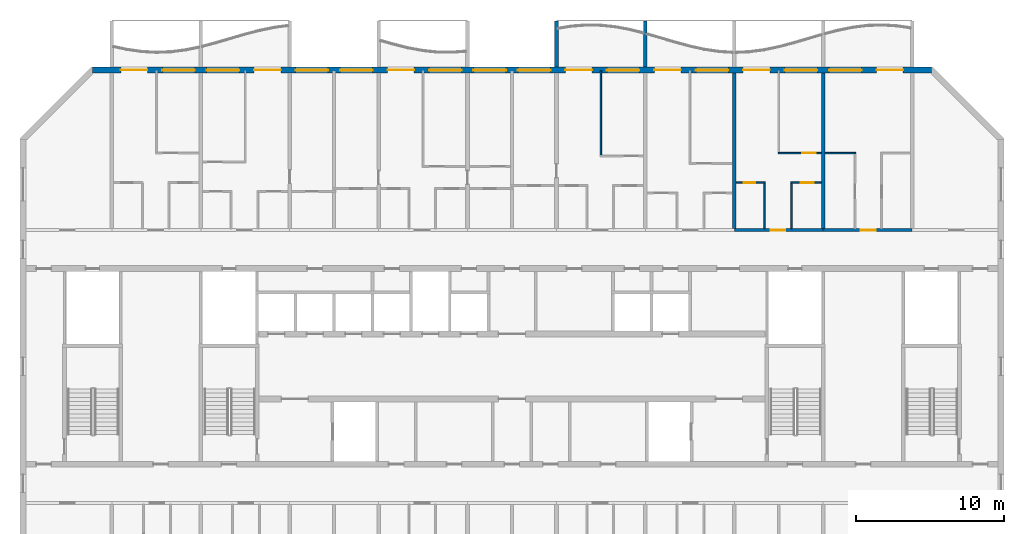
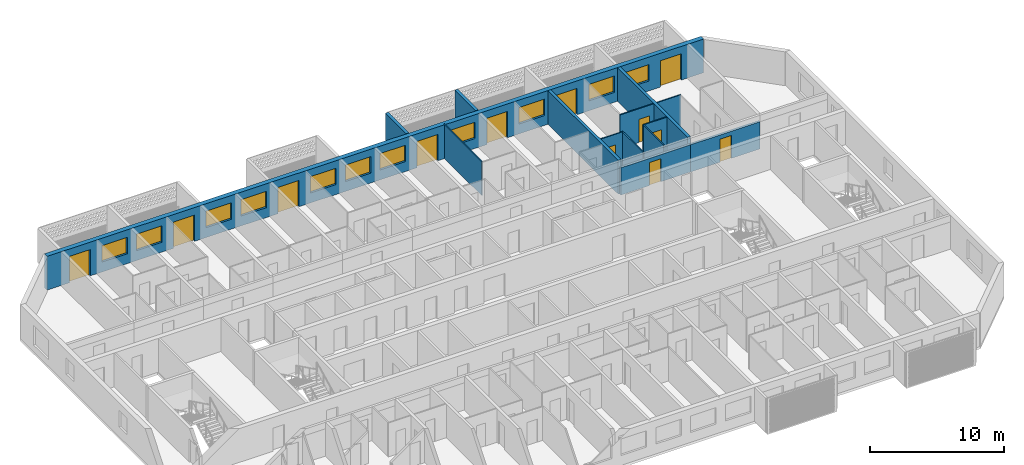
# One storey, part 10 of 28: 14 walls, 12 doors, 11 windows, 23 openings.
"""IFC4 building model written with IfcOpenShell, lengths in metres."""

from ifc_helpers import new_model, si_unit, direction, frame, frame_2d, origin, place, context, subcontext, project, spatial, polyline, rectangle, outline, extrude, source, transform, mapped, material, layer, layer_set, type_object, element, fill, save


model = new_model("IFC4")

# Units and contexts
model_context = context("Model", 3, precision=1e-05, world=origin(), true_north=direction((0.0, 1.0)))
body_context = subcontext(model_context, "Body", "Model", "MODEL_VIEW")
ifc_project = project(units=[si_unit("LENGTHUNIT", "METRE"), si_unit("AREAUNIT", "SQUARE_METRE"), si_unit("VOLUMEUNIT", "CUBIC_METRE"), si_unit("PLANEANGLEUNIT", "RADIAN"), si_unit("MASSUNIT", "GRAM", prefix="KILO")], contexts=[model_context])

# Site, building, storey
site_placement = place(None, origin())
site = spatial("IfcSite", under=ifc_project, at=site_placement, CompositionType="ELEMENT")
building_placement = place(site_placement, origin())
building = spatial("IfcBuilding", under=site, at=building_placement, Name="Poui Terraces", CompositionType="ELEMENT")
storey_placement = place(building_placement, frame((0.0, 0.0, 188.39990234375)))
storey = spatial("IfcBuildingStorey", under=building, at=storey_placement, Name="L52", CompositionType="ELEMENT", Elevation=188.39990234375)

# Wall, opening, door
ifc_material_1 = material(Name="Concrete 50 MPa", Category="concrete")
ifc_layer_1 = layer(ifc_material_1, 0.199951171875)
ifc_layer_set_1 = layer_set([ifc_layer_1], Name="Concrete 50 MPa")
wall_type_1 = type_object("IfcWallType", Name="CORRIDOR WALL 200 50MPa", PredefinedType="SHEAR", material=ifc_layer_set_1)
wall_1_placement = place(storey_placement, frame((66.0, 30.39990234375, 0.0), z_axis=(0.0, 0.0, 1.0), x_axis=(1.0, 0.0, 0.0)))
wall_1 = element("IfcWall", 1, at=wall_1_placement, inside=storey, type_object=wall_type_1, Name="CORRIDOR WALL LINE E BAY 9", PredefinedType="SHEAR", context=body_context, shape_type="SweptSolid", body=[
    extrude(rectangle(XDim=6.0, YDim=0.199951171875, at=frame_2d((3.0, 0.0))), origin(), (0.0, 0.0, 1.0), 2.47998046875),
])
opening_1_placement = place(wall_1_placement, frame((2.449951171875, 0.0, 0.0)))
opening_1 = element("IfcOpeningElement", 2, at=opening_1_placement, cuts=wall_1, Name="Opening FD30S", PredefinedType="OPENING", context=body_context, shape_type="SweptSolid", body=[
    extrude(rectangle(XDim=1.0, YDim=2.10009765625, at=frame_2d((0.5, 1.050048828125))), frame((0.0, 0.10986328125, 0.0), z_axis=(0.0, -1.0, 0.0), x_axis=(1.0, 0.0, 0.0)), (0.0, 0.0, 1.0), 0.219970703125),
])
ifc_material_2 = material(Name="Steel fire door", Category="steel")
door_type_1 = type_object("IfcDoorType", Name="FLAT ENTRANCE DOOR 1000 X 2100", OperationType="NOTDEFINED", PredefinedType="DOOR", material=ifc_material_2)
door_1_placement = place(opening_1_placement, origin())
door_1 = element("IfcDoor", 3, at=door_1_placement, inside=storey, type_object=door_type_1, Name="FLAT ENTRANCE DOOR 057", OperationType="SINGLE_SWING_LEFT", OverallHeight=2.10009765625, OverallWidth=1.0, PredefinedType="DOOR", context=body_context, shape_type="SweptSolid", body=[
    extrude(rectangle(XDim=1.0, YDim=2.10009765625, at=frame_2d((0.5, 1.050048828125))), frame((0.0, 0.02490234375, 0.0), z_axis=(0.0, -1.0, 0.0), x_axis=(1.0, 0.0, 0.0)), (0.0, 0.0, 1.0), 0.050048828125),
])
fill(opening_1, door_1)

wall_2_placement = place(storey_placement, frame((72.0, 30.39990234375, 0.0), z_axis=(0.0, 0.0, 1.0), x_axis=(1.0, 0.0, 0.0)))
wall_2 = element("IfcWall", 4, at=wall_2_placement, inside=storey, type_object=wall_type_1, Name="CORRIDOR WALL LINE E BAY 10", PredefinedType="SHEAR", context=body_context, shape_type="SweptSolid", body=[
    extrude(rectangle(XDim=6.0, YDim=0.199951171875, at=frame_2d((3.0, 0.0))), origin(), (0.0, 0.0, 1.0), 2.47998046875),
])
opening_2_placement = place(wall_2_placement, frame((2.550048828125, 0.0, 0.0)))
opening_2 = element("IfcOpeningElement", 5, at=opening_2_placement, cuts=wall_2, Name="Opening FD30S", PredefinedType="OPENING", context=body_context, shape_type="SweptSolid", body=[
    extrude(rectangle(XDim=1.0, YDim=2.10009765625, at=frame_2d((0.5, 1.050048828125))), frame((0.0, 0.10986328125, 0.0), z_axis=(0.0, -1.0, 0.0), x_axis=(1.0, 0.0, 0.0)), (0.0, 0.0, 1.0), 0.219970703125),
])
door_2_placement = place(opening_2_placement, origin())
door_2 = element("IfcDoor", 6, at=door_2_placement, inside=storey, type_object=door_type_1, Name="FLAT ENTRANCE DOOR 061", OperationType="SINGLE_SWING_RIGHT", OverallHeight=2.10009765625, OverallWidth=1.0, PredefinedType="DOOR", context=body_context, shape_type="SweptSolid", body=[
    extrude(rectangle(XDim=1.0, YDim=2.10009765625, at=frame_2d((0.5, 1.050048828125))), frame((0.0, 0.02490234375, 0.0), z_axis=(0.0, -1.0, 0.0), x_axis=(1.0, 0.0, 0.0)), (0.0, 0.0, 1.0), 0.050048828125),
])
fill(opening_2, door_2)

# Walls
ifc_layer_2 = layer(ifc_material_1, 0.25)
ifc_layer_set_2 = layer_set([ifc_layer_2], Name="Concrete 50 MPa")
wall_type_2 = type_object("IfcWallType", Name="CROSS WALL 250 50MPa", PredefinedType="SHEAR", material=ifc_layer_set_2)
for number, where, z_axis, x_axis, name in (
    (7, (66.0, 30.5, 0.0), (0.0, 0.0, 1.0), (0.0, 1.0, 0.0), "CROSS WALL LINE 12 NORTH"),
    (8, (72.0, 30.5, 0.0), (0.0, 0.0, 1.0), (0.0, 1.0, 0.0), "CROSS WALL LINE 13 NORTH"),
):
    element("IfcWall", number, at=place(storey_placement, frame(where, z_axis=z_axis, x_axis=x_axis)), inside=storey, type_object=wall_type_2, Name=name, PredefinedType="SHEAR", context=body_context, shape_type="SweptSolid", body=[
        extrude(rectangle(XDim=10.5, YDim=0.25, at=frame_2d((5.25, 0.0))), origin(), (0.0, 0.0, 1.0), 3.080078125),
    ])

# Wall, openings, doors, windows
ifc_material_3 = material(Name="Precast concrete 40 MPa", Category="concrete")
ifc_layer_3 = layer(ifc_material_3, 0.39990234375)
ifc_layer_set_3 = layer_set([ifc_layer_3], Name="Precast concrete 40 MPa")
wall_type_3 = type_object("IfcWallType", Name="EXTERNAL WALL 400", PredefinedType="STANDARD", material=ifc_layer_set_3)
wall_3_placement = place(storey_placement, frame((79.317138671875, 41.199951171875, 0.0), z_axis=(0.0, 0.0, 1.0), x_axis=(-1.0, 0.0, 0.0)))
wall_3 = element("IfcWall", 9, at=wall_3_placement, inside=storey, type_object=wall_type_3, Name="EXTERNAL WALL N", PredefinedType="STANDARD", context=body_context, shape_type="SweptSolid", body=[
    extrude(rectangle(XDim=56.63427734375, YDim=0.39990234375, at=frame_2d((28.317138671875, 0.0))), origin(), (0.0, 0.0, 1.0), 3.080078125),
])
opening_3_placement = place(wall_3_placement, frame((52.917236328125, 0.0, 0.0)))
opening_3 = element("IfcOpeningElement", 10, at=opening_3_placement, cuts=wall_3, Name="Opening BD1", PredefinedType="OPENING", context=body_context, shape_type="SweptSolid", body=[
    extrude(rectangle(XDim=1.800048828125, YDim=2.39990234375, at=frame_2d((0.89990234375, 1.199951171875))), frame((0.0, 0.2099609375, 0.0), z_axis=(0.0, -1.0, 0.0), x_axis=(1.0, 0.0, 0.0)), (0.0, 0.0, 1.0), 0.419921875),
])
opening_4_placement = place(wall_3_placement, frame((49.71728515625, 0.0, 0.89990234375)))
opening_4 = element("IfcOpeningElement", 11, at=opening_4_placement, cuts=wall_3, Name="Opening W1", PredefinedType="OPENING", context=body_context, shape_type="SweptSolid", body=[
    extrude(rectangle(XDim=2.199951171875, YDim=1.5, at=frame_2d((1.10009765625, 0.75))), frame((0.0, 0.2099609375, 0.0), z_axis=(0.0, -1.0, 0.0), x_axis=(1.0, 0.0, 0.0)), (0.0, 0.0, 1.0), 0.419921875),
])
opening_5_placement = place(wall_3_placement, frame((46.71728515625, 0.0, 0.89990234375)))
opening_5 = element("IfcOpeningElement", 12, at=opening_5_placement, cuts=wall_3, Name="Opening W1", PredefinedType="OPENING", context=body_context, shape_type="SweptSolid", body=[
    extrude(rectangle(XDim=2.199951171875, YDim=1.5, at=frame_2d((1.10009765625, 0.75))), frame((0.0, 0.2099609375, 0.0), z_axis=(0.0, -1.0, 0.0), x_axis=(1.0, 0.0, 0.0)), (0.0, 0.0, 1.0), 0.419921875),
])
opening_6_placement = place(wall_3_placement, frame((43.917236328125, 0.0, 0.0)))
opening_6 = element("IfcOpeningElement", 13, at=opening_6_placement, cuts=wall_3, Name="Opening BD1", PredefinedType="OPENING", context=body_context, shape_type="SweptSolid", body=[
    extrude(rectangle(XDim=1.800048828125, YDim=2.39990234375, at=frame_2d((0.89990234375, 1.199951171875))), frame((0.0, 0.2099609375, 0.0), z_axis=(0.0, -1.0, 0.0), x_axis=(1.0, 0.0, 0.0)), (0.0, 0.0, 1.0), 0.419921875),
])
opening_7_placement = place(wall_3_placement, frame((40.71728515625, 0.0, 0.89990234375)))
opening_7 = element("IfcOpeningElement", 14, at=opening_7_placement, cuts=wall_3, Name="Opening W1", PredefinedType="OPENING", context=body_context, shape_type="SweptSolid", body=[
    extrude(rectangle(XDim=2.199951171875, YDim=1.5, at=frame_2d((1.10009765625, 0.75))), frame((0.0, 0.2099609375, 0.0), z_axis=(0.0, -1.0, 0.0), x_axis=(1.0, 0.0, 0.0)), (0.0, 0.0, 1.0), 0.419921875),
])
opening_8_placement = place(wall_3_placement, frame((37.71728515625, 0.0, 0.89990234375)))
opening_8 = element("IfcOpeningElement", 15, at=opening_8_placement, cuts=wall_3, Name="Opening W1", PredefinedType="OPENING", context=body_context, shape_type="SweptSolid", body=[
    extrude(rectangle(XDim=2.199951171875, YDim=1.5, at=frame_2d((1.10009765625, 0.75))), frame((0.0, 0.2099609375, 0.0), z_axis=(0.0, -1.0, 0.0), x_axis=(1.0, 0.0, 0.0)), (0.0, 0.0, 1.0), 0.419921875),
])
opening_9_placement = place(wall_3_placement, frame((34.917236328125, 0.0, 0.0)))
opening_9 = element("IfcOpeningElement", 16, at=opening_9_placement, cuts=wall_3, Name="Opening BD1", PredefinedType="OPENING", context=body_context, shape_type="SweptSolid", body=[
    extrude(rectangle(XDim=1.800048828125, YDim=2.39990234375, at=frame_2d((0.89990234375, 1.199951171875))), frame((0.0, 0.2099609375, 0.0), z_axis=(0.0, -1.0, 0.0), x_axis=(1.0, 0.0, 0.0)), (0.0, 0.0, 1.0), 0.419921875),
])
opening_10_placement = place(wall_3_placement, frame((31.71728515625, 0.0, 0.89990234375)))
opening_10 = element("IfcOpeningElement", 17, at=opening_10_placement, cuts=wall_3, Name="Opening W1", PredefinedType="OPENING", context=body_context, shape_type="SweptSolid", body=[
    extrude(rectangle(XDim=2.199951171875, YDim=1.5, at=frame_2d((1.10009765625, 0.75))), frame((0.0, 0.2099609375, 0.0), z_axis=(0.0, -1.0, 0.0), x_axis=(1.0, 0.0, 0.0)), (0.0, 0.0, 1.0), 0.419921875),
])
opening_11_placement = place(wall_3_placement, frame((28.71728515625, 0.0, 0.89990234375)))
opening_11 = element("IfcOpeningElement", 18, at=opening_11_placement, cuts=wall_3, Name="Opening W1", PredefinedType="OPENING", context=body_context, shape_type="SweptSolid", body=[
    extrude(rectangle(XDim=2.199951171875, YDim=1.5, at=frame_2d((1.10009765625, 0.75))), frame((0.0, 0.2099609375, 0.0), z_axis=(0.0, -1.0, 0.0), x_axis=(1.0, 0.0, 0.0)), (0.0, 0.0, 1.0), 0.419921875),
])
opening_12_placement = place(wall_3_placement, frame((25.71728515625, 0.0, 0.89990234375)))
opening_12 = element("IfcOpeningElement", 19, at=opening_12_placement, cuts=wall_3, Name="Opening W1", PredefinedType="OPENING", context=body_context, shape_type="SweptSolid", body=[
    extrude(rectangle(XDim=2.199951171875, YDim=1.5, at=frame_2d((1.10009765625, 0.75))), frame((0.0, 0.2099609375, 0.0), z_axis=(0.0, -1.0, 0.0), x_axis=(1.0, 0.0, 0.0)), (0.0, 0.0, 1.0), 0.419921875),
])
opening_13_placement = place(wall_3_placement, frame((22.917236328125, 0.0, 0.0)))
opening_13 = element("IfcOpeningElement", 20, at=opening_13_placement, cuts=wall_3, Name="Opening BD1", PredefinedType="OPENING", context=body_context, shape_type="SweptSolid", body=[
    extrude(rectangle(XDim=1.800048828125, YDim=2.39990234375, at=frame_2d((0.89990234375, 1.199951171875))), frame((0.0, 0.2099609375, 0.0), z_axis=(0.0, -1.0, 0.0), x_axis=(1.0, 0.0, 0.0)), (0.0, 0.0, 1.0), 0.419921875),
])
opening_14_placement = place(wall_3_placement, frame((19.71728515625, 0.0, 0.89990234375)))
opening_14 = element("IfcOpeningElement", 21, at=opening_14_placement, cuts=wall_3, Name="Opening W1", PredefinedType="OPENING", context=body_context, shape_type="SweptSolid", body=[
    extrude(rectangle(XDim=2.199951171875, YDim=1.5, at=frame_2d((1.10009765625, 0.75))), frame((0.0, 0.2099609375, 0.0), z_axis=(0.0, -1.0, 0.0), x_axis=(1.0, 0.0, 0.0)), (0.0, 0.0, 1.0), 0.419921875),
])
opening_15_placement = place(wall_3_placement, frame((16.917236328125, 0.0, 0.0)))
opening_15 = element("IfcOpeningElement", 22, at=opening_15_placement, cuts=wall_3, Name="Opening BD1", PredefinedType="OPENING", context=body_context, shape_type="SweptSolid", body=[
    extrude(rectangle(XDim=1.800048828125, YDim=2.39990234375, at=frame_2d((0.89990234375, 1.199951171875))), frame((0.0, 0.2099609375, 0.0), z_axis=(0.0, -1.0, 0.0), x_axis=(1.0, 0.0, 0.0)), (0.0, 0.0, 1.0), 0.419921875),
])
opening_16_placement = place(wall_3_placement, frame((13.71728515625, 0.0, 0.89990234375)))
opening_16 = element("IfcOpeningElement", 23, at=opening_16_placement, cuts=wall_3, Name="Opening W1", PredefinedType="OPENING", context=body_context, shape_type="SweptSolid", body=[
    extrude(rectangle(XDim=2.199951171875, YDim=1.5, at=frame_2d((1.10009765625, 0.75))), frame((0.0, 0.2099609375, 0.0), z_axis=(0.0, -1.0, 0.0), x_axis=(1.0, 0.0, 0.0)), (0.0, 0.0, 1.0), 0.419921875),
])
opening_17_placement = place(wall_3_placement, frame((10.917236328125, 0.0, 0.0)))
opening_17 = element("IfcOpeningElement", 24, at=opening_17_placement, cuts=wall_3, Name="Opening BD1", PredefinedType="OPENING", context=body_context, shape_type="SweptSolid", body=[
    extrude(rectangle(XDim=1.800048828125, YDim=2.39990234375, at=frame_2d((0.89990234375, 1.199951171875))), frame((0.0, 0.2099609375, 0.0), z_axis=(0.0, -1.0, 0.0), x_axis=(1.0, 0.0, 0.0)), (0.0, 0.0, 1.0), 0.419921875),
])
opening_18_placement = place(wall_3_placement, frame((7.71728515625, 0.0, 0.89990234375)))
opening_18 = element("IfcOpeningElement", 25, at=opening_18_placement, cuts=wall_3, Name="Opening W1", PredefinedType="OPENING", context=body_context, shape_type="SweptSolid", body=[
    extrude(rectangle(XDim=2.199951171875, YDim=1.5, at=frame_2d((1.10009765625, 0.75))), frame((0.0, 0.2099609375, 0.0), z_axis=(0.0, -1.0, 0.0), x_axis=(1.0, 0.0, 0.0)), (0.0, 0.0, 1.0), 0.419921875),
])
opening_19_placement = place(wall_3_placement, frame((4.71728515625, 0.0, 0.89990234375)))
opening_19 = element("IfcOpeningElement", 26, at=opening_19_placement, cuts=wall_3, Name="Opening W1", PredefinedType="OPENING", context=body_context, shape_type="SweptSolid", body=[
    extrude(rectangle(XDim=2.199951171875, YDim=1.5, at=frame_2d((1.10009765625, 0.75))), frame((0.0, 0.2099609375, 0.0), z_axis=(0.0, -1.0, 0.0), x_axis=(1.0, 0.0, 0.0)), (0.0, 0.0, 1.0), 0.419921875),
])
opening_20_placement = place(wall_3_placement, frame((1.917236328125, 0.0, 0.0)))
opening_20 = element("IfcOpeningElement", 27, at=opening_20_placement, cuts=wall_3, Name="Opening BD1", PredefinedType="OPENING", context=body_context, shape_type="SweptSolid", body=[
    extrude(rectangle(XDim=1.800048828125, YDim=2.39990234375, at=frame_2d((0.89990234375, 1.199951171875))), frame((0.0, 0.2099609375, 0.0), z_axis=(0.0, -1.0, 0.0), x_axis=(1.0, 0.0, 0.0)), (0.0, 0.0, 1.0), 0.419921875),
])
ifc_material_4 = material(Name="Clear glass in aluminium frame", Category="aluminium")
door_type_2 = type_object("IfcDoorType", Name="BALCONY DOOR 1800X2400", OperationType="DOUBLE_DOOR_SLIDING", PredefinedType="DOOR", material=ifc_material_4)
door_3_placement = place(opening_3_placement, origin())
door_3 = element("IfcDoor", 28, at=door_3_placement, inside=storey, type_object=door_type_2, Name="BD1 BALCONY DOOR", OperationType="DOUBLE_DOOR_SLIDING", OverallHeight=2.39990234375, OverallWidth=1.800048828125, PredefinedType="DOOR", context=body_context, shape_type="SweptSolid", body=[
    extrude(rectangle(XDim=1.800048828125, YDim=2.39990234375, at=frame_2d((0.89990234375, 1.199951171875))), frame((0.0, 0.02490234375, 0.0), z_axis=(0.0, -1.0, 0.0), x_axis=(1.0, 0.0, 0.0)), (0.0, 0.0, 1.0), 0.050048828125),
])
fill(opening_3, door_3)
door_4_placement = place(opening_6_placement, origin())
door_4 = element("IfcDoor", 29, at=door_4_placement, inside=storey, type_object=door_type_2, Name="BD1 BALCONY DOOR", OperationType="DOUBLE_DOOR_SLIDING", OverallHeight=2.39990234375, OverallWidth=1.800048828125, PredefinedType="DOOR", context=body_context, shape_type="SweptSolid", body=[
    extrude(rectangle(XDim=1.800048828125, YDim=2.39990234375, at=frame_2d((0.89990234375, 1.199951171875))), frame((0.0, 0.02490234375, 0.0), z_axis=(0.0, -1.0, 0.0), x_axis=(1.0, 0.0, 0.0)), (0.0, 0.0, 1.0), 0.050048828125),
])
fill(opening_6, door_4)
door_5_placement = place(opening_9_placement, origin())
door_5 = element("IfcDoor", 30, at=door_5_placement, inside=storey, type_object=door_type_2, Name="BD1 BALCONY DOOR", OperationType="DOUBLE_DOOR_SLIDING", OverallHeight=2.39990234375, OverallWidth=1.800048828125, PredefinedType="DOOR", context=body_context, shape_type="SweptSolid", body=[
    extrude(rectangle(XDim=1.800048828125, YDim=2.39990234375, at=frame_2d((0.89990234375, 1.199951171875))), frame((0.0, 0.02490234375, 0.0), z_axis=(0.0, -1.0, 0.0), x_axis=(1.0, 0.0, 0.0)), (0.0, 0.0, 1.0), 0.050048828125),
])
fill(opening_9, door_5)
door_6_placement = place(opening_13_placement, origin())
door_6 = element("IfcDoor", 31, at=door_6_placement, inside=storey, type_object=door_type_2, Name="BD1 BALCONY DOOR", OperationType="DOUBLE_DOOR_SLIDING", OverallHeight=2.39990234375, OverallWidth=1.800048828125, PredefinedType="DOOR", context=body_context, shape_type="SweptSolid", body=[
    extrude(rectangle(XDim=1.800048828125, YDim=2.39990234375, at=frame_2d((0.89990234375, 1.199951171875))), frame((0.0, 0.02490234375, 0.0), z_axis=(0.0, -1.0, 0.0), x_axis=(1.0, 0.0, 0.0)), (0.0, 0.0, 1.0), 0.050048828125),
])
fill(opening_13, door_6)
door_7_placement = place(opening_15_placement, origin())
door_7 = element("IfcDoor", 32, at=door_7_placement, inside=storey, type_object=door_type_2, Name="BD1 BALCONY DOOR", OperationType="DOUBLE_DOOR_SLIDING", OverallHeight=2.39990234375, OverallWidth=1.800048828125, PredefinedType="DOOR", context=body_context, shape_type="SweptSolid", body=[
    extrude(rectangle(XDim=1.800048828125, YDim=2.39990234375, at=frame_2d((0.89990234375, 1.199951171875))), frame((0.0, 0.02490234375, 0.0), z_axis=(0.0, -1.0, 0.0), x_axis=(1.0, 0.0, 0.0)), (0.0, 0.0, 1.0), 0.050048828125),
])
fill(opening_15, door_7)
door_8_placement = place(opening_17_placement, origin())
door_8 = element("IfcDoor", 33, at=door_8_placement, inside=storey, type_object=door_type_2, Name="BD1 BALCONY DOOR", OperationType="DOUBLE_DOOR_SLIDING", OverallHeight=2.39990234375, OverallWidth=1.800048828125, PredefinedType="DOOR", context=body_context, shape_type="SweptSolid", body=[
    extrude(rectangle(XDim=1.800048828125, YDim=2.39990234375, at=frame_2d((0.89990234375, 1.199951171875))), frame((0.0, 0.02490234375, 0.0), z_axis=(0.0, -1.0, 0.0), x_axis=(1.0, 0.0, 0.0)), (0.0, 0.0, 1.0), 0.050048828125),
])
fill(opening_17, door_8)
door_9_placement = place(opening_20_placement, origin())
door_9 = element("IfcDoor", 34, at=door_9_placement, inside=storey, type_object=door_type_2, Name="BD1 BALCONY DOOR", OperationType="DOUBLE_DOOR_SLIDING", OverallHeight=2.39990234375, OverallWidth=1.800048828125, PredefinedType="DOOR", context=body_context, shape_type="SweptSolid", body=[
    extrude(rectangle(XDim=1.800048828125, YDim=2.39990234375, at=frame_2d((0.89990234375, 1.199951171875))), frame((0.0, 0.02490234375, 0.0), z_axis=(0.0, -1.0, 0.0), x_axis=(1.0, 0.0, 0.0)), (0.0, 0.0, 1.0), 0.050048828125),
])
fill(opening_20, door_9)
window_type = type_object("IfcWindowType", Name="WINDOW 2200X1500", PartitioningType="DOUBLE_PANEL_HORIZONTAL", PredefinedType="WINDOW", material=ifc_material_4)
window_1_placement = place(opening_4_placement, origin())
window_1 = element("IfcWindow", 35, at=window_1_placement, inside=storey, type_object=window_type, Name="W1 WINDOW", OverallHeight=1.5, OverallWidth=2.199951171875, PartitioningType="DOUBLE_PANEL_HORIZONTAL", PredefinedType="WINDOW", context=body_context, shape_type="SweptSolid", body=[
    extrude(rectangle(XDim=2.199951171875, YDim=1.5, at=frame_2d((1.10009765625, 0.75))), frame((0.0, 0.030029296875, 0.0), z_axis=(0.0, -1.0, 0.0), x_axis=(1.0, 0.0, 0.0)), (0.0, 0.0, 1.0), 0.06005859375),
])
fill(opening_4, window_1)
window_2_placement = place(opening_5_placement, origin())
window_2 = element("IfcWindow", 36, at=window_2_placement, inside=storey, type_object=window_type, Name="W1 WINDOW", OverallHeight=1.5, OverallWidth=2.199951171875, PartitioningType="DOUBLE_PANEL_HORIZONTAL", PredefinedType="WINDOW", context=body_context, shape_type="SweptSolid", body=[
    extrude(rectangle(XDim=2.199951171875, YDim=1.5, at=frame_2d((1.10009765625, 0.75))), frame((0.0, 0.030029296875, 0.0), z_axis=(0.0, -1.0, 0.0), x_axis=(1.0, 0.0, 0.0)), (0.0, 0.0, 1.0), 0.06005859375),
])
fill(opening_5, window_2)
window_3_placement = place(opening_7_placement, origin())
window_3 = element("IfcWindow", 37, at=window_3_placement, inside=storey, type_object=window_type, Name="W1 WINDOW", OverallHeight=1.5, OverallWidth=2.199951171875, PartitioningType="DOUBLE_PANEL_HORIZONTAL", PredefinedType="WINDOW", context=body_context, shape_type="SweptSolid", body=[
    extrude(rectangle(XDim=2.199951171875, YDim=1.5, at=frame_2d((1.10009765625, 0.75))), frame((0.0, 0.030029296875, 0.0), z_axis=(0.0, -1.0, 0.0), x_axis=(1.0, 0.0, 0.0)), (0.0, 0.0, 1.0), 0.06005859375),
])
fill(opening_7, window_3)
window_4_placement = place(opening_8_placement, origin())
window_4 = element("IfcWindow", 38, at=window_4_placement, inside=storey, type_object=window_type, Name="W1 WINDOW", OverallHeight=1.5, OverallWidth=2.199951171875, PartitioningType="DOUBLE_PANEL_HORIZONTAL", PredefinedType="WINDOW", context=body_context, shape_type="SweptSolid", body=[
    extrude(rectangle(XDim=2.199951171875, YDim=1.5, at=frame_2d((1.10009765625, 0.75))), frame((0.0, 0.030029296875, 0.0), z_axis=(0.0, -1.0, 0.0), x_axis=(1.0, 0.0, 0.0)), (0.0, 0.0, 1.0), 0.06005859375),
])
fill(opening_8, window_4)
window_5_placement = place(opening_10_placement, origin())
window_5 = element("IfcWindow", 39, at=window_5_placement, inside=storey, type_object=window_type, Name="W1 WINDOW", OverallHeight=1.5, OverallWidth=2.199951171875, PartitioningType="DOUBLE_PANEL_HORIZONTAL", PredefinedType="WINDOW", context=body_context, shape_type="SweptSolid", body=[
    extrude(rectangle(XDim=2.199951171875, YDim=1.5, at=frame_2d((1.10009765625, 0.75))), frame((0.0, 0.030029296875, 0.0), z_axis=(0.0, -1.0, 0.0), x_axis=(1.0, 0.0, 0.0)), (0.0, 0.0, 1.0), 0.06005859375),
])
fill(opening_10, window_5)
window_6_placement = place(opening_11_placement, origin())
window_6 = element("IfcWindow", 40, at=window_6_placement, inside=storey, type_object=window_type, Name="W1 WINDOW", OverallHeight=1.5, OverallWidth=2.199951171875, PartitioningType="DOUBLE_PANEL_HORIZONTAL", PredefinedType="WINDOW", context=body_context, shape_type="SweptSolid", body=[
    extrude(rectangle(XDim=2.199951171875, YDim=1.5, at=frame_2d((1.10009765625, 0.75))), frame((0.0, 0.030029296875, 0.0), z_axis=(0.0, -1.0, 0.0), x_axis=(1.0, 0.0, 0.0)), (0.0, 0.0, 1.0), 0.06005859375),
])
fill(opening_11, window_6)
window_7_placement = place(opening_12_placement, origin())
window_7 = element("IfcWindow", 41, at=window_7_placement, inside=storey, type_object=window_type, Name="W1 WINDOW", OverallHeight=1.5, OverallWidth=2.199951171875, PartitioningType="DOUBLE_PANEL_HORIZONTAL", PredefinedType="WINDOW", context=body_context, shape_type="SweptSolid", body=[
    extrude(rectangle(XDim=2.199951171875, YDim=1.5, at=frame_2d((1.10009765625, 0.75))), frame((0.0, 0.030029296875, 0.0), z_axis=(0.0, -1.0, 0.0), x_axis=(1.0, 0.0, 0.0)), (0.0, 0.0, 1.0), 0.06005859375),
])
fill(opening_12, window_7)
window_8_placement = place(opening_14_placement, origin())
window_8 = element("IfcWindow", 42, at=window_8_placement, inside=storey, type_object=window_type, Name="W1 WINDOW", OverallHeight=1.5, OverallWidth=2.199951171875, PartitioningType="DOUBLE_PANEL_HORIZONTAL", PredefinedType="WINDOW", context=body_context, shape_type="SweptSolid", body=[
    extrude(rectangle(XDim=2.199951171875, YDim=1.5, at=frame_2d((1.10009765625, 0.75))), frame((0.0, 0.030029296875, 0.0), z_axis=(0.0, -1.0, 0.0), x_axis=(1.0, 0.0, 0.0)), (0.0, 0.0, 1.0), 0.06005859375),
])
fill(opening_14, window_8)
window_9_placement = place(opening_16_placement, origin())
window_9 = element("IfcWindow", 43, at=window_9_placement, inside=storey, type_object=window_type, Name="W1 WINDOW", OverallHeight=1.5, OverallWidth=2.199951171875, PartitioningType="DOUBLE_PANEL_HORIZONTAL", PredefinedType="WINDOW", context=body_context, shape_type="SweptSolid", body=[
    extrude(rectangle(XDim=2.199951171875, YDim=1.5, at=frame_2d((1.10009765625, 0.75))), frame((0.0, 0.030029296875, 0.0), z_axis=(0.0, -1.0, 0.0), x_axis=(1.0, 0.0, 0.0)), (0.0, 0.0, 1.0), 0.06005859375),
])
fill(opening_16, window_9)
window_10_placement = place(opening_18_placement, origin())
window_10 = element("IfcWindow", 44, at=window_10_placement, inside=storey, type_object=window_type, Name="W1 WINDOW", OverallHeight=1.5, OverallWidth=2.199951171875, PartitioningType="DOUBLE_PANEL_HORIZONTAL", PredefinedType="WINDOW", context=body_context, shape_type="SweptSolid", body=[
    extrude(rectangle(XDim=2.199951171875, YDim=1.5, at=frame_2d((1.10009765625, 0.75))), frame((0.0, 0.030029296875, 0.0), z_axis=(0.0, -1.0, 0.0), x_axis=(1.0, 0.0, 0.0)), (0.0, 0.0, 1.0), 0.06005859375),
])
fill(opening_18, window_10)
window_11_placement = place(opening_19_placement, origin())
window_11 = element("IfcWindow", 45, at=window_11_placement, inside=storey, type_object=window_type, Name="W1 WINDOW", OverallHeight=1.5, OverallWidth=2.199951171875, PartitioningType="DOUBLE_PANEL_HORIZONTAL", PredefinedType="WINDOW", context=body_context, shape_type="SweptSolid", body=[
    extrude(rectangle(XDim=2.199951171875, YDim=1.5, at=frame_2d((1.10009765625, 0.75))), frame((0.0, 0.030029296875, 0.0), z_axis=(0.0, -1.0, 0.0), x_axis=(1.0, 0.0, 0.0)), (0.0, 0.0, 1.0), 0.06005859375),
])
fill(opening_19, window_11)

# Wall, opening, door
ifc_material_5 = material(Name="Plasterboard partition")
ifc_layer_4 = layer(ifc_material_5, 0.10009765625)
ifc_layer_set_4 = layer_set([ifc_layer_4], Name="Plasterboard partition")
wall_type_4 = type_object("IfcWallType", Name="FLAT PARTITION 100", PredefinedType="PARTITIONING", material=ifc_layer_set_4)
wall_4_placement = place(storey_placement, frame((66.135009765625, 33.60009765625, 0.0), z_axis=(0.0, 0.0, 1.0), x_axis=(1.0, 0.0, 0.0)))
wall_4 = element("IfcWall", 46, at=wall_4_placement, inside=storey, type_object=wall_type_4, Name="FLAT PARTITION 100", PredefinedType="PARTITIONING", context=body_context, shape_type="SweptSolid", body=[
    extrude(rectangle(XDim=1.965087890625, YDim=0.10009765625, at=frame_2d((0.982421875, 0.0))), origin(), (0.0, 0.0, 1.0), 3.080078125),
])
opening_21_placement = place(wall_4_placement, frame((0.489990234375, 0.0, 0.0)))
opening_21 = element("IfcOpeningElement", 47, at=opening_21_placement, cuts=wall_4, Name="Opening D80", PredefinedType="OPENING", context=body_context, shape_type="SweptSolid", body=[
    extrude(rectangle(XDim=0.800048828125, YDim=2.10009765625, at=frame_2d((0.39990234375, 1.050048828125))), frame((0.0, 0.06005859375, 0.0), z_axis=(0.0, -1.0, 0.0), x_axis=(1.0, 0.0, 0.0)), (0.0, 0.0, 1.0), 0.1201171875),
])
ifc_material_6 = material(Name="Solid core timber door", Category="wood")
door_type_3 = type_object("IfcDoorType", Name="BATHROOM, LAUNDRY AND STORE DOOR 800 X 2100", OperationType="NOTDEFINED", PredefinedType="DOOR", material=ifc_material_6)
door_10_placement = place(opening_21_placement, frame((0.800048828125, 0.0, 0.0), z_axis=(0.0, 0.0, 1.0), x_axis=(-1.0, 0.0, 0.0)))
door_10 = element("IfcDoor", 48, at=door_10_placement, inside=storey, type_object=door_type_3, Name="BATHROOM, LAUNDRY AND STORE DOOR 056", OperationType="SINGLE_SWING_RIGHT", OverallHeight=2.10009765625, OverallWidth=0.800048828125, PredefinedType="DOOR", context=body_context, shape_type="SweptSolid", body=[
    extrude(rectangle(XDim=0.800048828125, YDim=2.10009765625, at=frame_2d((0.39990234375, 1.050048828125))), frame((0.0, 0.02490234375, 0.0), z_axis=(0.0, -1.0, 0.0), x_axis=(1.0, 0.0, 0.0)), (0.0, 0.0, 1.0), 0.050048828125),
])
fill(opening_21, door_10)

wall_5_placement = place(storey_placement, frame((69.800048828125, 33.60009765625, 0.0), z_axis=(0.0, 0.0, 1.0), x_axis=(1.0, 0.0, 0.0)))
wall_5 = element("IfcWall", 49, at=wall_5_placement, inside=storey, type_object=wall_type_4, Name="FLAT PARTITION 100", PredefinedType="PARTITIONING", context=body_context, shape_type="SweptSolid", body=[
    extrude(rectangle(XDim=2.06494140625, YDim=0.10009765625, at=frame_2d((1.032470703125, 0.0))), origin(), (0.0, 0.0, 1.0), 3.080078125),
])
opening_22_placement = place(wall_5_placement, frame((0.675048828125, 0.0, 0.0)))
opening_22 = element("IfcOpeningElement", 50, at=opening_22_placement, cuts=wall_5, Name="Opening D90", PredefinedType="OPENING", context=body_context, shape_type="SweptSolid", body=[
    extrude(rectangle(XDim=0.89990234375, YDim=2.10009765625, at=frame_2d((0.449951171875, 1.050048828125))), frame((0.0, 0.06005859375, 0.0), z_axis=(0.0, -1.0, 0.0), x_axis=(1.0, 0.0, 0.0)), (0.0, 0.0, 1.0), 0.1201171875),
])
door_type_4 = type_object("IfcDoorType", Name="INTERNAL DOOR 900 X 2100", OperationType="NOTDEFINED", PredefinedType="DOOR", material=ifc_material_6)
door_11_placement = place(opening_22_placement, frame((0.89990234375, 0.0, 0.0), z_axis=(0.0, 0.0, 1.0), x_axis=(-1.0, 0.0, 0.0)))
door_11 = element("IfcDoor", 51, at=door_11_placement, inside=storey, type_object=door_type_4, Name="INTERNAL DOOR 058", OperationType="SINGLE_SWING_LEFT", OverallHeight=2.10009765625, OverallWidth=0.89990234375, PredefinedType="DOOR", context=body_context, shape_type="SweptSolid", body=[
    extrude(rectangle(XDim=0.89990234375, YDim=2.10009765625, at=frame_2d((0.449951171875, 1.050048828125))), frame((0.0, 0.02490234375, 0.0), z_axis=(0.0, -1.0, 0.0), x_axis=(1.0, 0.0, 0.0)), (0.0, 0.0, 1.0), 0.050048828125),
])
fill(opening_22, door_11)

wall_6_placement = place(storey_placement, frame((68.949951171875, 35.60009765625, 0.0), z_axis=(0.0, 0.0, 1.0), x_axis=(1.0, 0.0, 0.0)))
wall_6 = element("IfcWall", 52, at=wall_6_placement, inside=storey, type_object=wall_type_4, Name="FLAT PARTITION 100", PredefinedType="PARTITIONING", context=body_context, shape_type="SweptSolid", body=[
    extrude(rectangle(XDim=2.9150390625, YDim=0.10009765625, at=frame_2d((1.45751953125, 0.0))), origin(), (0.0, 0.0, 1.0), 3.080078125),
])
opening_23_placement = place(wall_6_placement, frame((1.64990234375, 0.0, 0.0)))
opening_23 = element("IfcOpeningElement", 53, at=opening_23_placement, cuts=wall_6, Name="Opening D90", PredefinedType="OPENING", context=body_context, shape_type="SweptSolid", body=[
    extrude(rectangle(XDim=0.89990234375, YDim=2.10009765625, at=frame_2d((0.449951171875, 1.050048828125))), frame((0.0, 0.06005859375, 0.0), z_axis=(0.0, -1.0, 0.0), x_axis=(1.0, 0.0, 0.0)), (0.0, 0.0, 1.0), 0.1201171875),
])
door_12_placement = place(opening_23_placement, frame((0.89990234375, 0.0, 0.0), z_axis=(0.0, 0.0, 1.0), x_axis=(-1.0, 0.0, 0.0)))
door_12 = element("IfcDoor", 54, at=door_12_placement, inside=storey, type_object=door_type_4, Name="INTERNAL DOOR 059", OperationType="SINGLE_SWING_RIGHT", OverallHeight=2.10009765625, OverallWidth=0.89990234375, PredefinedType="DOOR", context=body_context, shape_type="SweptSolid", body=[
    extrude(rectangle(XDim=0.89990234375, YDim=2.10009765625, at=frame_2d((0.449951171875, 1.050048828125))), frame((0.0, 0.02490234375, 0.0), z_axis=(0.0, -1.0, 0.0), x_axis=(1.0, 0.0, 0.0)), (0.0, 0.0, 1.0), 0.050048828125),
])
fill(opening_23, door_12)

# Walls
wall_7_placement = place(storey_placement, frame((72.135009765625, 35.60009765625, 0.0), z_axis=(0.0, 0.0, 1.0), x_axis=(1.0, 0.0, 0.0)))
element("IfcWall", 55, at=wall_7_placement, inside=storey, type_object=wall_type_4, Name="FLAT PARTITION 100", PredefinedType="PARTITIONING", context=body_context, shape_type="SweptSolid", body=[
    extrude(rectangle(XDim=2.06494140625, YDim=0.10009765625, at=frame_2d((1.032470703125, 0.0))), origin(), (0.0, 0.0, 1.0), 3.080078125),
])
wall_8_placement = place(storey_placement, frame((57.0, 35.449951171875, 0.0), z_axis=(0.0, 0.0, 1.0), x_axis=(0.0, 1.0, 0.0)))
element("IfcWall", 56, at=wall_8_placement, inside=storey, type_object=wall_type_4, Name="FLAT PARTITION 100", PredefinedType="PARTITIONING", context=body_context, shape_type="SweptSolid", body=[
    extrude(rectangle(XDim=5.68994140625, YDim=0.10009765625, at=frame_2d((2.844970703125, 0.0))), origin(), (0.0, 0.0, 1.0), 3.080078125),
])
for number, where, z_axis, x_axis, name in (
    (57, (68.050048828125, 30.510009765625, 0.0), (0.0, 0.0, 1.0), (0.0, 1.0, 0.0), "FLAT PARTITION 100"),
    (58, (69.85009765625, 30.510009765625, 0.0), (0.0, 0.0, 1.0), (0.0, 1.0, 0.0), "FLAT PARTITION 100"),
):
    element("IfcWall", number, at=place(storey_placement, frame(where, z_axis=z_axis, x_axis=x_axis)), inside=storey, type_object=wall_type_4, Name=name, PredefinedType="PARTITIONING", context=body_context, shape_type="SweptSolid", body=[
        extrude(rectangle(XDim=3.0400390625, YDim=0.10009765625, at=frame_2d((1.52001953125, 0.0))), origin(), (0.0, 0.0, 1.0), 3.080078125),
    ])
ifc_layer_5 = layer(ifc_material_3, 0.25)
ifc_layer_set_5 = layer_set([ifc_layer_5], Name="Precast concrete 40 MPa")
wall_type_5 = type_object("IfcWallType", Name="BALCONY FIN 250", PredefinedType="STANDARD", material=ifc_layer_set_5)
shared_shape = source(origin(), body_context, "Body", "SweptSolid", [
    extrude(outline(polyline([(0.0, 0.0), (0.25, 0.0), (0.25, 3.10009765625), (0.0, 3.10009765625), (0.0, 0.0)])), origin(), (0.0, 0.0, 1.0), 3.10009765625),
])
for number, where, name in (
    (59, (53.875, 41.39990234375, 0.0), "BALCONY FIN"),
    (60, (59.875, 41.39990234375, 0.0), "BALCONY FIN"),
):
    element("IfcWall", number, at=place(storey_placement, frame(where)), inside=storey, type_object=wall_type_5, Name=name, PredefinedType="STANDARD", context=body_context, shape_type="MappedRepresentation", body=[
        mapped(shared_shape, transform((0.0, 0.0, 0.0))),
    ])

save(model, "model.ifc")
